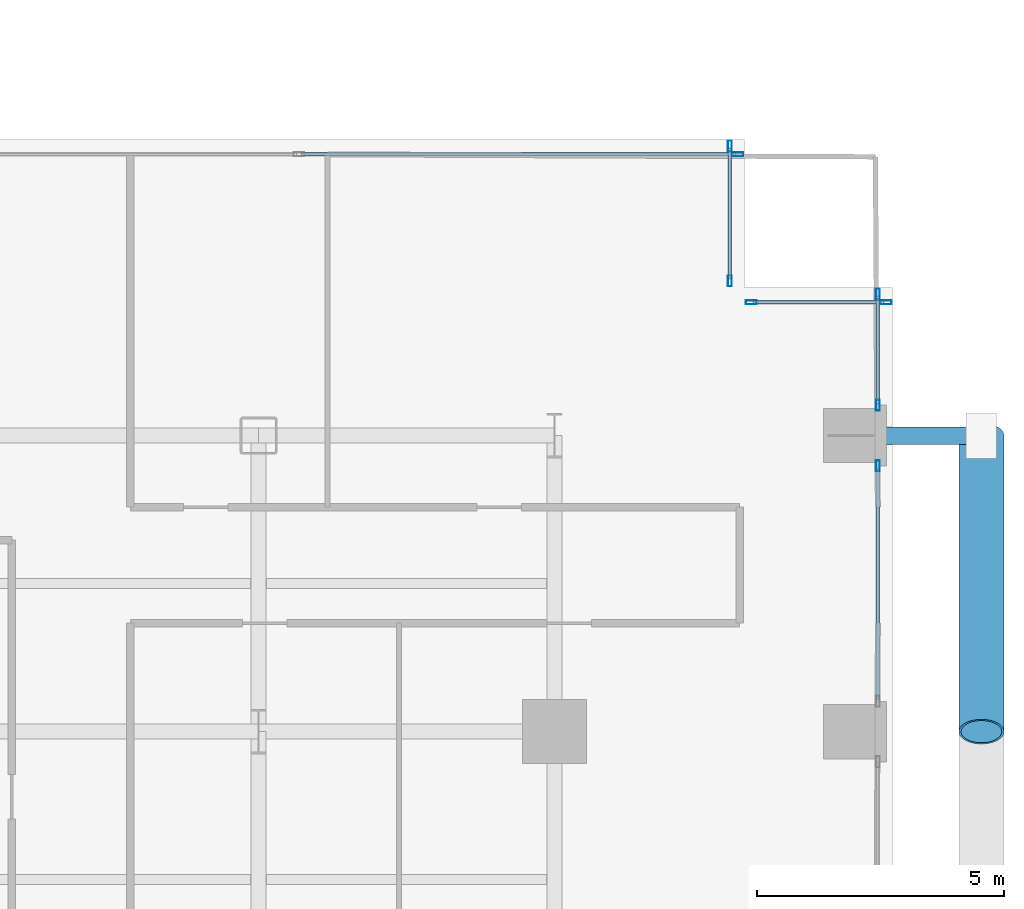
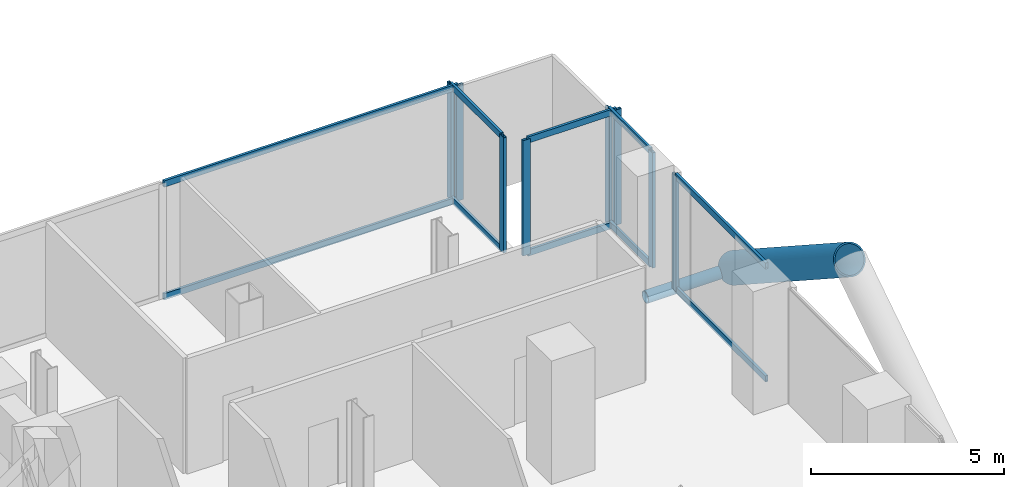
# One storey, part 12 of 25: 20 members, 5 elements without a shape of their own.
"""IFC4 building model written with IfcOpenShell, lengths in metres."""

from ifc_helpers import new_model, si_unit, direction, frame, origin, origin_2d, place, context, subcontext, project, spatial, hollow_rectangle, hollow_circle, extrude, material, layer, layer_set, material_profile, profile_set, type_object, element, aggregate, save


model = new_model("IFC4")

# Units and contexts
model_context = context("Model", 3, precision=1e-05, world=origin(), true_north=direction((0.0, 1.0)))
body_context = subcontext(model_context, "Body", "Model", "MODEL_VIEW")
ifc_project = project(units=[si_unit("LENGTHUNIT", "METRE"), si_unit("AREAUNIT", "SQUARE_METRE"), si_unit("VOLUMEUNIT", "CUBIC_METRE"), si_unit("PLANEANGLEUNIT", "RADIAN"), si_unit("MASSUNIT", "GRAM", prefix="KILO"), si_unit("THERMODYNAMICTEMPERATUREUNIT", "KELVIN"), si_unit("POWERUNIT", "WATT")], contexts=[model_context])

# Site, building, storey
site_placement = place(None, origin())
site = spatial("IfcSite", under=ifc_project, at=site_placement, CompositionType="ELEMENT")
building_placement = place(site_placement, origin())
building = spatial("IfcBuilding", under=site, at=building_placement, Name="Svarakhadi Broadcast Tower", CompositionType="ELEMENT")
storey_placement = place(building_placement, frame((0.0, 0.0, 32.39990234375)))
storey = spatial("IfcBuildingStorey", under=building, at=storey_placement, Name="L06", CompositionType="ELEMENT", Elevation=32.39990234375)

# Curtain wall, member
ifc_material_1 = material(Name="Anodised Bronze Aluminium AA 6063-T6", Category="aluminium")
ifc_layer = layer(ifc_material_1, 0.219970703125)
ifc_layer_set = layer_set([ifc_layer], Name="Anodised Bronze Aluminium AA 6063-T6")
curtain_wall_type = type_object("IfcCurtainWallType", Name="CW_Sys_02", PredefinedType="NOTDEFINED", material=ifc_layer_set)
curtain_wall_1_placement = place(storey_placement, origin())
curtain_wall_1 = element("IfcCurtainWall", 1, at=curtain_wall_1_placement, inside=storey, type_object=curtain_wall_type, Name="L06 Unitised Facade Curtain Wall 10", PredefinedType="NOTDEFINED")
ifc_material_profile_1 = material_profile(ifc_material_1, hollow_rectangle(XDim=0.0849609375, YDim=0.219970703125, WallThickness=0.006103515625, at=origin_2d()), Name="ALU MULLION 220x85x6")
ifc_profile_set_1 = profile_set([ifc_material_profile_1], Name="Anodised Bronze Aluminium AA 6063-T6")
member_type_1 = type_object("IfcMemberType", Name="CW_Sys_02_Mul", PredefinedType="MULLION", material=ifc_profile_set_1)
member_1_placement = place(storey_placement, frame((50.867431640625, 23.699951171875, 0.0), z_axis=(0.0, 0.0, 1.0), x_axis=(0.0, 1.0, 0.0)))
member_1 = element("IfcMember", 2, at=member_1_placement, type_object=member_type_1, Name="CW-02 mullion 4", PredefinedType="MULLION", context=body_context, shape_type="SweptSolid", body=[
    extrude(hollow_rectangle(XDim=0.0849609375, YDim=0.219970703125, WallThickness=0.006103515625, at=origin_2d()), origin(), (0.0, 0.0, 1.0), 3.650146484375),
])

# Curtain wall, members
curtain_wall_2_placement = place(storey_placement, origin())
curtain_wall_2 = element("IfcCurtainWall", 3, at=curtain_wall_2_placement, inside=storey, type_object=curtain_wall_type, Name="L06 Unitised Facade Curtain Wall 11", PredefinedType="NOTDEFINED")
member_2_placement = place(storey_placement, frame((50.699951171875, 23.867431640625, 0.0), z_axis=(0.0, 0.0, 1.0), x_axis=(1.0, 0.0, 0.0)))
member_2 = element("IfcMember", 4, at=member_2_placement, type_object=member_type_1, Name="CW-02 mullion 1", PredefinedType="MULLION", context=body_context, shape_type="SweptSolid", body=[
    extrude(hollow_rectangle(XDim=0.0849609375, YDim=0.219970703125, WallThickness=0.006103515625, at=origin_2d()), origin(), (0.0, 0.0, 1.0), 3.650146484375),
])
member_3_placement = place(storey_placement, frame((50.699951171875, 21.132568359375, 0.0), z_axis=(0.0, 0.0, 1.0), x_axis=(1.0, 0.0, 0.0)))
member_3 = element("IfcMember", 5, at=member_3_placement, type_object=member_type_1, Name="CW-02 mullion 2", PredefinedType="MULLION", context=body_context, shape_type="SweptSolid", body=[
    extrude(hollow_rectangle(XDim=0.0849609375, YDim=0.219970703125, WallThickness=0.006103515625, at=origin_2d()), origin(), (0.0, 0.0, 1.0), 3.650146484375),
])

curtain_wall_3_placement = place(storey_placement, origin())
curtain_wall_3 = element("IfcCurtainWall", 6, at=curtain_wall_3_placement, inside=storey, type_object=curtain_wall_type, Name="L06 Unitised Facade Curtain Wall 12", PredefinedType="NOTDEFINED")
member_4_placement = place(storey_placement, frame((51.132568359375, 20.699951171875, 0.0), z_axis=(0.0, 0.0, 1.0), x_axis=(0.0, 1.0, 0.0)))
member_4 = element("IfcMember", 7, at=member_4_placement, type_object=member_type_1, Name="CW-02 mullion 1", PredefinedType="MULLION", context=body_context, shape_type="SweptSolid", body=[
    extrude(hollow_rectangle(XDim=0.0849609375, YDim=0.219970703125, WallThickness=0.006103515625, at=origin_2d()), origin(), (0.0, 0.0, 1.0), 3.650146484375),
])
member_5_placement = place(storey_placement, frame((53.867431640625, 20.699951171875, 0.0), z_axis=(0.0, 0.0, 1.0), x_axis=(0.0, 1.0, 0.0)))
member_5 = element("IfcMember", 8, at=member_5_placement, type_object=member_type_1, Name="CW-02 mullion 2", PredefinedType="MULLION", context=body_context, shape_type="SweptSolid", body=[
    extrude(hollow_rectangle(XDim=0.0849609375, YDim=0.219970703125, WallThickness=0.006103515625, at=origin_2d()), origin(), (0.0, 0.0, 1.0), 3.650146484375),
])

curtain_wall_4_placement = place(storey_placement, origin())
curtain_wall_4 = element("IfcCurtainWall", 9, at=curtain_wall_4_placement, inside=storey, type_object=curtain_wall_type, Name="L06 Unitised Facade Curtain Wall 13 Bay 1", PredefinedType="NOTDEFINED")
member_6_placement = place(storey_placement, frame((53.699951171875, 20.867431640625, 0.0), z_axis=(0.0, 0.0, 1.0), x_axis=(1.0, 0.0, 0.0)))
member_6 = element("IfcMember", 10, at=member_6_placement, type_object=member_type_1, Name="CW-02 mullion 1", PredefinedType="MULLION", context=body_context, shape_type="SweptSolid", body=[
    extrude(hollow_rectangle(XDim=0.0849609375, YDim=0.219970703125, WallThickness=0.006103515625, at=origin_2d()), origin(), (0.0, 0.0, 1.0), 3.650146484375),
])
member_7_placement = place(storey_placement, frame((53.699951171875, 18.612548828125, 0.0), z_axis=(0.0, 0.0, 1.0), x_axis=(1.0, 0.0, 0.0)))
member_7 = element("IfcMember", 11, at=member_7_placement, type_object=member_type_1, Name="CW-02 mullion 2", PredefinedType="MULLION", context=body_context, shape_type="SweptSolid", body=[
    extrude(hollow_rectangle(XDim=0.0849609375, YDim=0.219970703125, WallThickness=0.006103515625, at=origin_2d()), origin(), (0.0, 0.0, 1.0), 3.650146484375),
])

# Curtain wall, member
curtain_wall_5_placement = place(storey_placement, origin())
curtain_wall_5 = element("IfcCurtainWall", 12, at=curtain_wall_5_placement, inside=storey, type_object=curtain_wall_type, Name="L06 Unitised Facade Curtain Wall 13 Bay 2", PredefinedType="NOTDEFINED")
member_8_placement = place(storey_placement, frame((53.699951171875, 17.387451171875, 0.0), z_axis=(0.0, 0.0, 1.0), x_axis=(1.0, 0.0, 0.0)))
member_8 = element("IfcMember", 13, at=member_8_placement, type_object=member_type_1, Name="CW-02 mullion 1", PredefinedType="MULLION", context=body_context, shape_type="SweptSolid", body=[
    extrude(hollow_rectangle(XDim=0.0849609375, YDim=0.219970703125, WallThickness=0.006103515625, at=origin_2d()), origin(), (0.0, 0.0, 1.0), 3.650146484375),
])

# Member
ifc_material_profile_2 = material_profile(ifc_material_1, hollow_rectangle(XDim=0.074951171875, YDim=0.199951171875, WallThickness=0.0048828125, at=origin_2d()), Name="ALU TRANSOM 200x75x5")
ifc_profile_set_2 = profile_set([ifc_material_profile_2], Name="Anodised Bronze Aluminium AA 6063-T6")
member_type_2 = type_object("IfcMemberType", Name="CW_Sys_02_Trn", PredefinedType="USERDEFINED", material=ifc_profile_set_2)
member_9_placement = place(storey_placement, frame((42.012451171875, 23.699951171875, 0.03759765625), z_axis=(1.0, 0.0, 0.0), x_axis=(0.0, 1.0, 0.0)))
member_9 = element("IfcMember", 14, at=member_9_placement, type_object=member_type_2, Name="CW-02 transom 3.1", ObjectType="TRANSOM", PredefinedType="USERDEFINED", context=body_context, shape_type="SweptSolid", body=[
    extrude(hollow_rectangle(XDim=0.074951171875, YDim=0.199951171875, WallThickness=0.0048828125, at=origin_2d()), origin(), (0.0, 0.0, 1.0), 8.8125),
])

member_10_placement = place(storey_placement, frame((42.012451171875, 23.699951171875, 3.612548828125), z_axis=(1.0, 0.0, 0.0), x_axis=(0.0, 1.0, 0.0)))
member_10 = element("IfcMember", 15, at=member_10_placement, type_object=member_type_2, Name="CW-02 transom 3.2", ObjectType="TRANSOM", PredefinedType="USERDEFINED", context=body_context, shape_type="SweptSolid", body=[
    extrude(hollow_rectangle(XDim=0.074951171875, YDim=0.199951171875, WallThickness=0.0048828125, at=origin_2d()), origin(), (0.0, 0.0, 1.0), 8.8125),
])

aggregate(curtain_wall_1, [member_1, member_9, member_10])

member_11_placement = place(storey_placement, frame((50.699951171875, 23.824951171875, 0.03759765625), z_axis=(0.0, -1.0, 0.0), x_axis=(1.0, 0.0, 0.0)))
member_11 = element("IfcMember", 16, at=member_11_placement, type_object=member_type_2, Name="CW-02 transom 1.1", ObjectType="TRANSOM", PredefinedType="USERDEFINED", context=body_context, shape_type="SweptSolid", body=[
    extrude(hollow_rectangle(XDim=0.074951171875, YDim=0.199951171875, WallThickness=0.0048828125, at=origin_2d()), origin(), (0.0, 0.0, 1.0), 2.64990234375),
])

member_12_placement = place(storey_placement, frame((50.699951171875, 23.824951171875, 3.612548828125), z_axis=(0.0, -1.0, 0.0), x_axis=(1.0, 0.0, 0.0)))
member_12 = element("IfcMember", 17, at=member_12_placement, type_object=member_type_2, Name="CW-02 transom 1.2", ObjectType="TRANSOM", PredefinedType="USERDEFINED", context=body_context, shape_type="SweptSolid", body=[
    extrude(hollow_rectangle(XDim=0.074951171875, YDim=0.199951171875, WallThickness=0.0048828125, at=origin_2d()), origin(), (0.0, 0.0, 1.0), 2.64990234375),
])

aggregate(curtain_wall_2, [member_2, member_3, member_11, member_12])

member_13_placement = place(storey_placement, frame((51.175048828125, 20.699951171875, 0.03759765625), z_axis=(1.0, 0.0, 0.0), x_axis=(0.0, 1.0, 0.0)))
member_13 = element("IfcMember", 18, at=member_13_placement, type_object=member_type_2, Name="CW-02 transom 1.1", ObjectType="TRANSOM", PredefinedType="USERDEFINED", context=body_context, shape_type="SweptSolid", body=[
    extrude(hollow_rectangle(XDim=0.074951171875, YDim=0.199951171875, WallThickness=0.0048828125, at=origin_2d()), origin(), (0.0, 0.0, 1.0), 2.64990234375),
])

member_14_placement = place(storey_placement, frame((51.175048828125, 20.699951171875, 3.612548828125), z_axis=(1.0, 0.0, 0.0), x_axis=(0.0, 1.0, 0.0)))
member_14 = element("IfcMember", 19, at=member_14_placement, type_object=member_type_2, Name="CW-02 transom 1.2", ObjectType="TRANSOM", PredefinedType="USERDEFINED", context=body_context, shape_type="SweptSolid", body=[
    extrude(hollow_rectangle(XDim=0.074951171875, YDim=0.199951171875, WallThickness=0.0048828125, at=origin_2d()), origin(), (0.0, 0.0, 1.0), 2.64990234375),
])

aggregate(curtain_wall_3, [member_4, member_5, member_13, member_14])

member_15_placement = place(storey_placement, frame((53.699951171875, 20.824951171875, 0.03759765625), z_axis=(0.0, -1.0, 0.0), x_axis=(1.0, 0.0, 0.0)))
member_15 = element("IfcMember", 20, at=member_15_placement, type_object=member_type_2, Name="CW-02 transom 1.1", ObjectType="TRANSOM", PredefinedType="USERDEFINED", context=body_context, shape_type="SweptSolid", body=[
    extrude(hollow_rectangle(XDim=0.074951171875, YDim=0.199951171875, WallThickness=0.0048828125, at=origin_2d()), origin(), (0.0, 0.0, 1.0), 2.169921875),
])

member_16_placement = place(storey_placement, frame((53.699951171875, 20.824951171875, 3.612548828125), z_axis=(0.0, -1.0, 0.0), x_axis=(1.0, 0.0, 0.0)))
member_16 = element("IfcMember", 21, at=member_16_placement, type_object=member_type_2, Name="CW-02 transom 1.2", ObjectType="TRANSOM", PredefinedType="USERDEFINED", context=body_context, shape_type="SweptSolid", body=[
    extrude(hollow_rectangle(XDim=0.074951171875, YDim=0.199951171875, WallThickness=0.0048828125, at=origin_2d()), origin(), (0.0, 0.0, 1.0), 2.169921875),
])

aggregate(curtain_wall_4, [member_6, member_7, member_15, member_16])

member_17_placement = place(storey_placement, frame((53.699951171875, 17.344970703125, 0.03759765625), z_axis=(0.0, -1.0, 0.0), x_axis=(1.0, 0.0, 0.0)))
member_17 = element("IfcMember", 22, at=member_17_placement, type_object=member_type_2, Name="CW-02 transom 1.1", ObjectType="TRANSOM", PredefinedType="USERDEFINED", context=body_context, shape_type="SweptSolid", body=[
    extrude(hollow_rectangle(XDim=0.074951171875, YDim=0.199951171875, WallThickness=0.0048828125, at=origin_2d()), origin(), (0.0, 0.0, 1.0), 4.68994140625),
])

member_18_placement = place(storey_placement, frame((53.699951171875, 17.344970703125, 3.612548828125), z_axis=(0.0, -1.0, 0.0), x_axis=(1.0, 0.0, 0.0)))
member_18 = element("IfcMember", 23, at=member_18_placement, type_object=member_type_2, Name="CW-02 transom 1.2", ObjectType="TRANSOM", PredefinedType="USERDEFINED", context=body_context, shape_type="SweptSolid", body=[
    extrude(hollow_rectangle(XDim=0.074951171875, YDim=0.199951171875, WallThickness=0.0048828125, at=origin_2d()), origin(), (0.0, 0.0, 1.0), 4.68994140625),
])

aggregate(curtain_wall_5, [member_8, member_17, member_18])

# Members
ifc_material_2 = material(Name="Steel S460ML (IS 2062 E450BR)", Category="steel")
ifc_material_profile_3 = material_profile(ifc_material_2, hollow_circle(Radius=0.45703125, WallThickness=0.044921875, at=origin_2d()), Name="CHS 914x45")
ifc_profile_set_3 = profile_set([ifc_material_profile_3], Name="Steel S460ML (IS 2062 E450BR)")
member_type_3 = type_object("IfcMemberType", Name="Exo_Brace_CHS914", PredefinedType="BRACE", material=ifc_profile_set_3)
member_19_placement = place(storey_placement, frame((55.800048828125, 18.0, -0.427734375), z_axis=(0.0, -0.838434262763, 0.545002740383), x_axis=(1.0, 0.0, 0.0)))
element("IfcMember", 24, at=member_19_placement, inside=storey, type_object=member_type_3, Name="L06 Exposed Bronze Exoskeleton Diagonal E09", PredefinedType="BRACE", context=body_context, shape_type="SweptSolid", body=[
    extrude(hollow_circle(Radius=0.45703125, WallThickness=0.044921875, at=origin_2d()), origin(), (0.0, 0.0, 1.0), 7.15625),
])
ifc_material_profile_4 = material_profile(ifc_material_2, hollow_circle(Radius=0.177734375, WallThickness=0.02001953125, at=origin_2d()), Name="CHS 355.6x20")
ifc_profile_set_4 = profile_set([ifc_material_profile_4], Name="Steel S460ML (IS 2062 E450BR)")
member_type_4 = type_object("IfcMemberType", Name="Exo_Radial_Strut_Z1", PredefinedType="STRUT", material=ifc_profile_set_4)
member_20_placement = place(storey_placement, frame((55.800048828125, 18.0, -0.427734375), z_axis=(-1.0, 0.0, 0.0), x_axis=(0.0, -1.0, 0.0)))
element("IfcMember", 25, at=member_20_placement, inside=storey, type_object=member_type_4, Name="L06 Exoskeleton Radial Tie Strut E06", PredefinedType="STRUT", context=body_context, shape_type="SweptSolid", body=[
    extrude(hollow_circle(Radius=0.177734375, WallThickness=0.02001953125, at=origin_2d()), origin(), (0.0, 0.0, 1.0), 2.650146484375),
])

save(model, "model.ifc")
